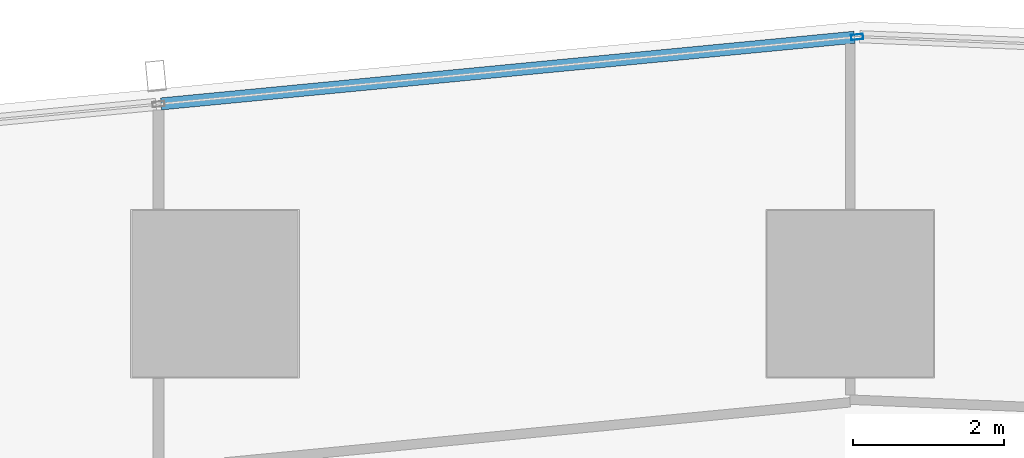
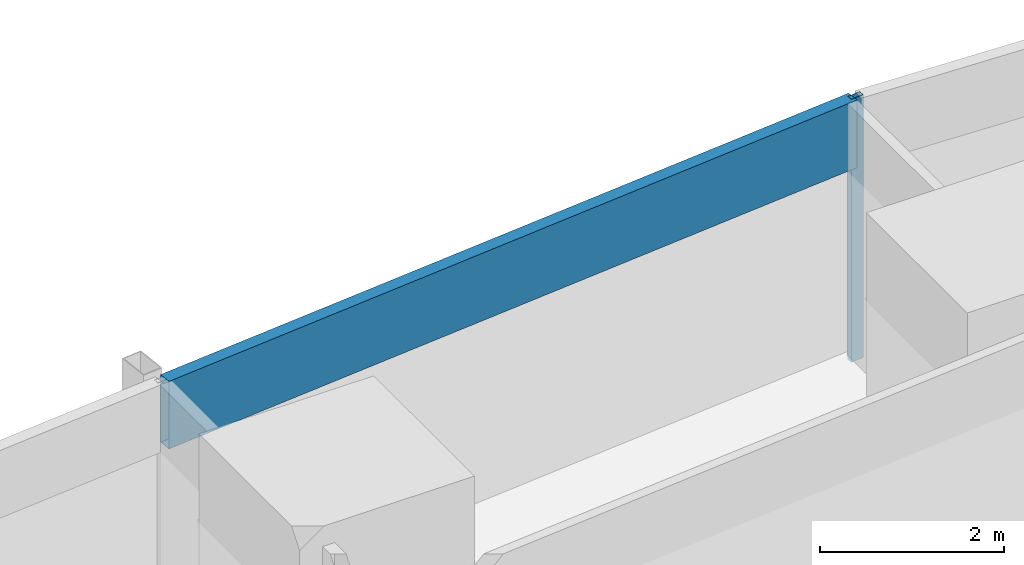
# One storey, part 15 of 42: 2 members, 1 element without a shape of its own.
"""IFC4 building model written with IfcOpenShell, lengths in metres."""

from ifc_helpers import new_model, si_unit, direction, frame, origin, origin_2d, place, context, subcontext, project, spatial, hollow_rectangle, extrude, material, material_profile, profile_set, type_object, element, aggregate, save


model = new_model("IFC4")

# Units and contexts
model_context = context("Model", 3, precision=1e-05, world=origin(), true_north=direction((0.0, 1.0)))
body_context = subcontext(model_context, "Body", "Model", "MODEL_VIEW")
ifc_project = project(units=[si_unit("LENGTHUNIT", "METRE"), si_unit("AREAUNIT", "SQUARE_METRE"), si_unit("VOLUMEUNIT", "CUBIC_METRE"), si_unit("PLANEANGLEUNIT", "RADIAN"), si_unit("MASSUNIT", "GRAM", prefix="KILO")], contexts=[model_context])

# Site, building, storey
site_placement = place(None, origin())
site = spatial("IfcSite", under=ifc_project, at=site_placement, CompositionType="ELEMENT")
building_placement = place(site_placement, origin())
building = spatial("IfcBuilding", under=site, at=building_placement, Name="Rekha Terrace Tower", CompositionType="ELEMENT")
storey_placement = place(building_placement, frame((0.0, 0.0, 55.39990234375)))
storey = spatial("IfcBuildingStorey", under=building, at=storey_placement, Name="L13", CompositionType="ELEMENT", Elevation=55.39990234375)

# Curtain wall, members
ifc_material_1 = material(Name="Aluminium framing", Category="aluminium")
curtain_wall_type = type_object("IfcCurtainWallType", Name="CW3 north unitised glazing", PredefinedType="USERDEFINED", material=ifc_material_1)
curtain_wall_placement = place(storey_placement, origin())
curtain_wall = element("IfcCurtainWall", 1, at=curtain_wall_placement, inside=storey, type_object=curtain_wall_type, Name="CW3 unitised curtain wall", ObjectType="UNITISED CURTAIN WALL", PredefinedType="USERDEFINED")
ifc_material_2 = material(Name="Aluminium mullion section", Category="aluminium")
ifc_material_profile_1 = material_profile(ifc_material_2, hollow_rectangle(XDim=0.070068359375, YDim=0.159912109375, WallThickness=0.00390625, at=origin_2d()), Name="AL RHS 70x160")
ifc_profile_set_1 = profile_set([ifc_material_profile_1], Name="Aluminium mullion section")
member_type_1 = type_object("IfcMemberType", Name="CW3 mullion RHS 70 x 160", PredefinedType="MULLION", material=ifc_profile_set_1)
member_1_placement = place(storey_placement, frame((25.29052734375, 62.1962890625, 0.0), z_axis=(0.0, 0.0, 1.0), x_axis=(0.095712406625, -0.995409029102, 0.0)))
member_1 = element("IfcMember", 2, at=member_1_placement, type_object=member_type_1, Name="CW3 mullion 1", PredefinedType="MULLION", context=body_context, shape_type="SweptSolid", body=[
    extrude(hollow_rectangle(XDim=0.070068359375, YDim=0.159912109375, WallThickness=0.00390625, at=origin_2d()), origin(), (0.0, 0.0, 1.0), 3.5),
])
ifc_material_3 = material(Name="Insulated aluminium spandrel box", Category="aluminium")
ifc_material_profile_2 = material_profile(ifc_material_3, hollow_rectangle(XDim=0.159912109375, YDim=0.89990234375, WallThickness=0.0029296875, at=origin_2d()), Name="AL SPANDREL BOX 160x900")
ifc_profile_set_2 = profile_set([ifc_material_profile_2], Name="Insulated aluminium spandrel box")
member_type_2 = type_object("IfcMemberType", Name="CW3 spandrel transom 160 x 900", PredefinedType="USERDEFINED", material=ifc_profile_set_2)
member_2_placement = place(storey_placement, frame((25.255859375, 62.19287109375, 3.050048828125), z_axis=(-0.995408446287, -0.095718467713, 0.0), x_axis=(0.095718467713, -0.995408446287, 0.0)))
member_2 = element("IfcMember", 3, at=member_2_placement, type_object=member_type_2, Name="CW3 spandrel transom 1", ObjectType="TRANSOM", PredefinedType="USERDEFINED", context=body_context, shape_type="SweptSolid", body=[
    extrude(hollow_rectangle(XDim=0.159912109375, YDim=0.89990234375, WallThickness=0.0029296875, at=origin_2d()), origin(), (0.0, 0.0, 1.0), 9.210205078125),
])
aggregate(curtain_wall, [member_1, member_2])

save(model, "model.ifc")
